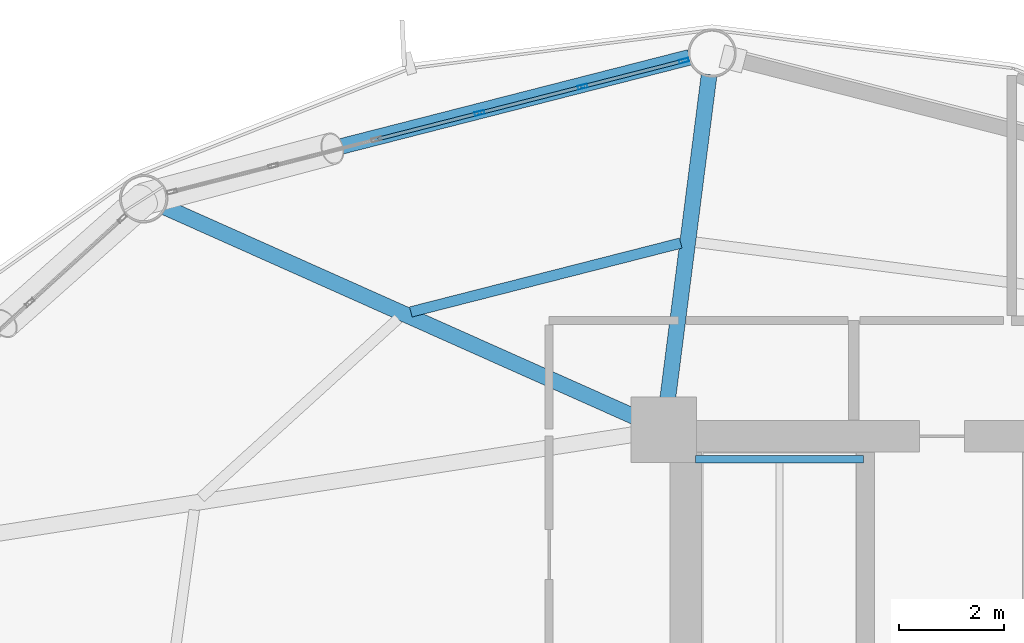
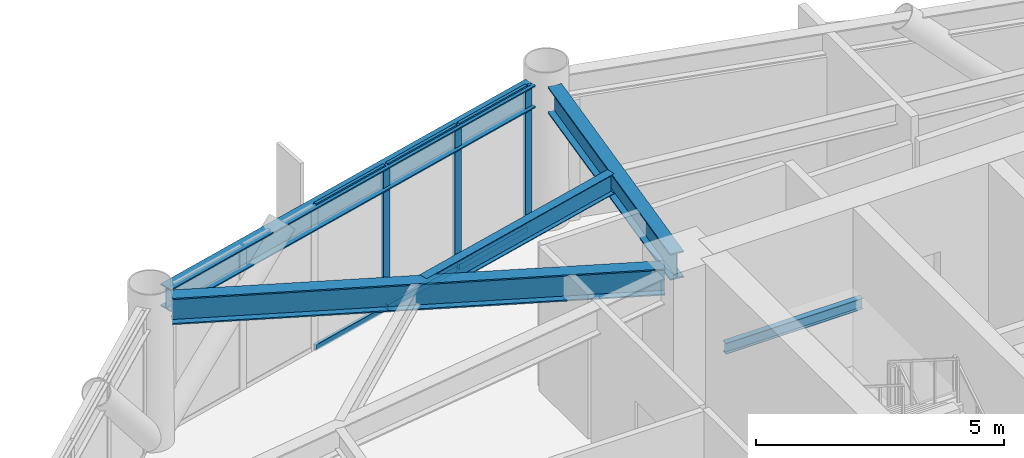
# One storey, part 16 of 25: 9 members, 5 beams, 1 element without a shape of its own.
"""IFC4 building model written with IfcOpenShell, lengths in metres."""

import ifcopenshell
import ifcopenshell.guid

model = None  # the IFC model being written
_history = None  # IfcOwnerHistory: only IFC2X3 demands one
_inside = {}  # id of a spatial element -> (the spatial element, [elements in it])
_under = {}  # id of a project, library or spatial element -> (it, [spatial elements below it])
_declared = {}  # id of a project -> (the project, [libraries it declares])
_typed = {}  # id of a type object -> (the type object, [elements of that type])
_made_of = {}  # id of a material, layer set ... -> (it, [elements and type objects made of it])


def new_model(schema):
    """Start an empty IFC model of exactly this schema.

    Asked for "IFC4X3", IfcOpenShell would pick the latest addendum, in which some entities
    have other attributes; the version numbers below select the first issue.
    IFC2X3 requires an IfcOwnerHistory on every rooted entity: one is made here for all.
    """
    global model, _history
    if schema == "IFC4X3":
        model = ifcopenshell.file(schema_version=(4, 3, 0, 0))
    else:
        model = ifcopenshell.file(schema=schema)
    _inside.clear()
    _under.clear()
    _declared.clear()
    _typed.clear()
    _made_of.clear()
    _history = None
    if model.schema == "IFC2X3":
        org = make("IfcOrganization", Name="unknown")
        user = make(
            "IfcPersonAndOrganization",
            ThePerson=make("IfcPerson", FamilyName="unknown"),
            TheOrganization=org,
        )
        app = make(
            "IfcApplication",
            ApplicationDeveloper=org,
            Version="unknown",
            ApplicationFullName="unknown",
            ApplicationIdentifier="unknown",
        )
        _history = make(
            "IfcOwnerHistory",
            OwningUser=user,
            OwningApplication=app,
            ChangeAction="ADDED",
            CreationDate=0,
        )
    return model


def make(cls, **values):
    """One entity of the class cls with the attributes given. An attribute that is None is left unset."""
    return model.create_entity(
        cls, **{name: value for name, value in values.items() if value is not None}
    )


def rooted(cls, **values):
    """An entity with a GlobalId (a new one), such as an element, a storey or a relation."""
    return make(cls, GlobalId=ifcopenshell.guid.new(), OwnerHistory=_history, **values)


def si_unit(unit_type, name, prefix=None):
    """IfcSIUnit, for example si_unit("LENGTHUNIT", "METRE", prefix="MILLI")."""
    return make("IfcSIUnit", UnitType=unit_type, Prefix=prefix, Name=name)


def assignment(units):
    """IfcUnitAssignment: the units of a project."""
    return None if units is None else make("IfcUnitAssignment", Units=units)


def point(xyz):
    """IfcCartesianPoint."""
    return None if xyz is None else make("IfcCartesianPoint", Coordinates=xyz)


def direction(xyz):
    """IfcDirection."""
    return None if xyz is None else make("IfcDirection", DirectionRatios=xyz)


def frame(location, z_axis=None, x_axis=None):
    """IfcAxis2Placement3D, a coordinate frame: its origin and axes. An axis left out is left unset."""
    return make(
        "IfcAxis2Placement3D",
        Location=point(location),
        Axis=direction(z_axis),
        RefDirection=direction(x_axis),
    )


def frame_2d(location, x_axis=None):
    """IfcAxis2Placement2D, a coordinate frame in the plane: its origin and x axis."""
    return make(
        "IfcAxis2Placement2D", Location=point(location), RefDirection=direction(x_axis)
    )


def origin():
    """The frame at (0, 0, 0) with its axes left unset."""
    return frame((0.0, 0.0, 0.0))


def origin_2d():
    """The frame at (0, 0) in the plane with its x axis left unset."""
    return frame_2d((0.0, 0.0))


def place(relative_to, where):
    """IfcLocalPlacement: puts the frame where relative to a parent placement (None: the world)."""
    return make(
        "IfcLocalPlacement", PlacementRelTo=relative_to, RelativePlacement=where
    )


def context(
    kind, dimensions, precision=None, world=None, true_north=None, identifier=None
):
    """IfcGeometricRepresentationContext, for example the 3D "Model" context."""
    return make(
        "IfcGeometricRepresentationContext",
        ContextIdentifier=identifier,
        ContextType=kind,
        CoordinateSpaceDimension=dimensions,
        Precision=precision,
        WorldCoordinateSystem=world,
        TrueNorth=true_north,
    )


def subcontext(parent, identifier, kind, view, scale=None):
    """IfcGeometricRepresentationSubContext, for example "Body" below "Model"."""
    return make(
        "IfcGeometricRepresentationSubContext",
        ContextIdentifier=identifier,
        ContextType=kind,
        ParentContext=parent,
        TargetScale=scale,
        TargetView=view,
    )


def project(units=None, contexts=None):
    """IfcProject with its units and contexts."""
    return rooted(
        "IfcProject",
        Name="project",
        RepresentationContexts=contexts,
        UnitsInContext=assignment(units),
    )


def spatial(cls, under=None, at=None, **own):
    """A site, building, storey or space (cls), placed at a placement, below another one or the project."""
    s = rooted(cls, ObjectPlacement=at, **own)
    if under is not None:
        _under.setdefault(under.id(), (under, []))[1].append(s)
    return s


def profile(cls, at=None, kind="AREA", **sizes):
    """A parametric profile (cls). Its sizes go by their IFC names, for example OverallWidth=200.0."""
    return make(cls, ProfileType=kind, Position=at, **sizes)


def hollow_rectangle(**sizes):
    """IfcRectangleHollowProfileDef."""
    return profile("IfcRectangleHollowProfileDef", **sizes)


def i_section(**sizes):
    """IfcIShapeProfileDef."""
    return profile("IfcIShapeProfileDef", **sizes)


def extrude(swept, where, along, depth):
    """IfcExtrudedAreaSolid: the profile swept, set in the frame where, extruded along a direction by depth."""
    return make(
        "IfcExtrudedAreaSolid",
        SweptArea=swept,
        Position=where,
        ExtrudedDirection=direction(along),
        Depth=depth,
    )


def shape(context_of_items, identifier, shape_type, items):
    """IfcShapeRepresentation: the items that make up one representation, for example the "Body"."""
    return make(
        "IfcShapeRepresentation",
        ContextOfItems=context_of_items,
        RepresentationIdentifier=identifier,
        RepresentationType=shape_type,
        Items=items,
    )


def material(Name=None, Category=None):
    """IfcMaterial."""
    return make("IfcMaterial", Name=Name, Category=Category)


def layer(
    of_material, thickness, ventilated=None, Name=None, Category=None, Priority=None
):
    """IfcMaterialLayer: one layer of a wall or slab, of a material (None: an air gap)."""
    return make(
        "IfcMaterialLayer",
        Material=of_material,
        LayerThickness=thickness,
        IsVentilated=ventilated,
        Name=Name,
        Category=Category,
        Priority=Priority,
    )


def layer_set(layers, Name=None):
    """IfcMaterialLayerSet."""
    return make("IfcMaterialLayerSet", MaterialLayers=layers, LayerSetName=Name)


def material_profile(
    of_material, cross_section, Name=None, Category=None, Priority=None
):
    """IfcMaterialProfile: a cross section and its material."""
    return make(
        "IfcMaterialProfile",
        Name=Name,
        Material=of_material,
        Profile=cross_section,
        Priority=Priority,
        Category=Category,
    )


def profile_set(profiles, Name=None, composite=None):
    """IfcMaterialProfileSet."""
    return make(
        "IfcMaterialProfileSet",
        Name=Name,
        MaterialProfiles=profiles,
        CompositeProfile=composite,
    )


def made_of(thing, what):
    """Note that an element or type object is made of a material, layer set ...; save() writes the relation."""
    if what is not None:
        _made_of.setdefault(what.id(), (what, []))[1].append(thing)
    return thing


def type_object(cls, material=None, **own):
    """A type object (cls), such as IfcWallType, which elements share."""
    return made_of(rooted(cls, **own), material)


def element(
    cls,
    number,
    at=None,
    inside=None,
    cuts=None,
    type_object=None,
    material=None,
    context=None,
    identifier="Body",
    shape_type=None,
    held_by="IfcProductDefinitionShape",
    body=None,
    shapes=None,
    **own,
):
    """One element of the class cls, such as IfcWall. Its Tag is "e" and its number.

    at: its placement. inside: the storey or other place that contains it. cuts: it is an
    opening in that element (IfcRelVoidsElement). A single representation is given by context,
    identifier, shape_type and body (its items); several are given by shapes. held_by: the class
    of the entity that holds the representations. save() writes the other relations.
    """
    e = rooted(cls, Tag="e%d" % number, ObjectPlacement=at, **own)
    if body is not None:
        shapes = [shape(context, identifier, shape_type, body)]
    if shapes is not None:
        e.Representation = make(held_by, Representations=shapes)
    if inside is not None:
        _inside.setdefault(inside.id(), (inside, []))[1].append(e)
    if cuts is not None:
        rooted(
            "IfcRelVoidsElement", RelatingBuildingElement=cuts, RelatedOpeningElement=e
        )
    if type_object is not None:
        _typed.setdefault(type_object.id(), (type_object, []))[1].append(e)
    return made_of(e, material)


def aggregate(whole, parts):
    """IfcRelAggregates: a whole, such as a stair, and the parts it consists of."""
    return rooted("IfcRelAggregates", RelatingObject=whole, RelatedObjects=parts)


def save(model, path):
    """Write the relations noted so far, then the file.

    IfcRelAggregates (storeys below a building ...), IfcRelContainedInSpatialStructure (elements
    in a storey), IfcRelDefinesByType, IfcRelAssociatesMaterial and IfcRelDeclares: one each for
    every whole, place, type object, material and project.
    """
    for whole, parts in _under.values():
        aggregate(whole, parts)
    for where, things in _inside.values():
        rooted(
            "IfcRelContainedInSpatialStructure",
            RelatedElements=things,
            RelatingStructure=where,
        )
    for kind, things in _typed.values():
        rooted("IfcRelDefinesByType", RelatedObjects=things, RelatingType=kind)
    for what, things in _made_of.values():
        rooted("IfcRelAssociatesMaterial", RelatedObjects=things, RelatingMaterial=what)
    for by, libraries in _declared.values():
        rooted("IfcRelDeclares", RelatingContext=by, RelatedDefinitions=libraries)
    model.write(path)


model = new_model("IFC4")

# Units and contexts
model_context = context("Model", 3, precision=1e-05, world=origin(), true_north=direction((0.0, 1.0)))
body_context = subcontext(model_context, "Body", "Model", "MODEL_VIEW")
ifc_project = project(units=[si_unit("LENGTHUNIT", "METRE"), si_unit("AREAUNIT", "SQUARE_METRE"), si_unit("VOLUMEUNIT", "CUBIC_METRE"), si_unit("PLANEANGLEUNIT", "RADIAN"), si_unit("MASSUNIT", "GRAM", prefix="KILO")], contexts=[model_context])

# Site, building, storey
site_placement = place(None, origin())
site = spatial("IfcSite", under=ifc_project, at=site_placement, CompositionType="ELEMENT")
building_placement = place(site_placement, origin())
building = spatial("IfcBuilding", under=site, at=building_placement, Name="Varnakorn Sky Granary", CompositionType="ELEMENT")
storey_placement = place(building_placement, frame((0.0, 0.0, 74.39990234375)))
storey = spatial("IfcBuildingStorey", under=building, at=storey_placement, Name="L18", CompositionType="ELEMENT", Elevation=74.39990234375)

# Beams
ifc_material_1 = material(Name="Steel S355JR", Category="steel")
ifc_material_profile_1 = material_profile(ifc_material_1, i_section(OverallWidth=0.135009765625, OverallDepth=0.27001953125, WebThickness=0.006591796875, FlangeThickness=0.01025390625, at=origin_2d()), Name="IPE 270")
ifc_profile_set_1 = profile_set([ifc_material_profile_1], Name="Steel S355JR")
beam_type_1 = type_object("IfcBeamType", Name="BM-LND-270", PredefinedType="BEAM", material=ifc_profile_set_1)
beam_1_placement = place(storey_placement, frame((-1.820068359375, 12.06005859375, 1.614990234375), z_axis=(1.0, 0.0, 0.0), x_axis=(0.0, 1.0, 0.0)))
element("IfcBeam", 1, at=beam_1_placement, inside=storey, type_object=beam_type_1, Name="Stair ST-1 Landing Trimmer Beam B L18-1", PredefinedType="BEAM", context=body_context, shape_type="SweptSolid", body=[
    extrude(i_section(OverallWidth=0.135009765625, OverallDepth=0.27001953125, WebThickness=0.006591796875, FlangeThickness=0.01025390625, at=origin_2d()), origin(), (0.0, 0.0, 1.0), 3.199951171875),
])
ifc_material_profile_2 = material_profile(ifc_material_1, i_section(OverallWidth=0.300048828125, OverallDepth=0.64990234375, WebThickness=0.01611328125, FlangeThickness=0.031005859375, at=origin_2d()), Name="HE 650 B")
ifc_profile_set_2 = profile_set([ifc_material_profile_2], Name="Steel S355JR")
beam_type_2 = type_object("IfcBeamType", Name="BM-RAD-Z1", PredefinedType="BEAM", material=ifc_profile_set_2)
beam_2_placement = place(storey_placement, frame((-2.36669921875, 13.03662109375, 3.22509765625), z_axis=(0.126773339014, 0.991931711619, 0.0), x_axis=(-0.991931711619, 0.126773339014, 0.0)))
element("IfcBeam", 2, at=beam_2_placement, inside=storey, type_object=beam_type_2, Name="Radial Floor Girder RG04 L18", PredefinedType="BEAM", context=body_context, shape_type="SweptSolid", body=[
    extrude(i_section(OverallWidth=0.300048828125, OverallDepth=0.64990234375, WebThickness=0.01611328125, FlangeThickness=0.031005859375, at=origin_2d()), origin(), (0.0, 0.0, 1.0), 6.3955078125),
])
beam_3_placement = place(storey_placement, frame((-2.803466796875, 12.791259765625, 3.22509765625), z_axis=(-0.913169041207, 0.407581037563, 0.0), x_axis=(-0.407581037563, -0.913169041207, 0.0)))
element("IfcBeam", 3, at=beam_3_placement, inside=storey, type_object=beam_type_2, Name="Radial Floor Girder RG05 L18", PredefinedType="BEAM", context=body_context, shape_type="SweptSolid", body=[
    extrude(i_section(OverallWidth=0.300048828125, OverallDepth=0.64990234375, WebThickness=0.01611328125, FlangeThickness=0.031005859375, at=origin_2d()), origin(), (0.0, 0.0, 1.0), 9.9990234375),
])
ifc_material_profile_3 = material_profile(ifc_material_1, i_section(OverallWidth=0.199951171875, OverallDepth=0.5, WebThickness=0.01025390625, FlangeThickness=0.01611328125, at=origin_2d()), Name="IPE 500")
ifc_profile_set_3 = profile_set([ifc_material_profile_3], Name="Steel S355JR")
beam_type_3 = type_object("IfcBeamType", Name="BM-SEC-Z1", PredefinedType="BEAM", material=ifc_profile_set_3)
beam_4_placement = place(storey_placement, frame((-2.09716796875, 16.174072265625, 3.300048828125), z_axis=(-0.968955281331, -0.247236046686, 0.0), x_axis=(0.247236046686, -0.968955281331, 0.0)))
element("IfcBeam", 4, at=beam_4_placement, inside=storey, type_object=beam_type_3, Name="Secondary Floor Chord Beam MSB04 L18", PredefinedType="BEAM", context=body_context, shape_type="SweptSolid", body=[
    extrude(i_section(OverallWidth=0.199951171875, OverallDepth=0.5, WebThickness=0.01025390625, FlangeThickness=0.01611328125, at=origin_2d()), origin(), (0.0, 0.0, 1.0), 5.30078125),
])
ifc_material_profile_4 = material_profile(ifc_material_1, i_section(OverallWidth=0.300048828125, OverallDepth=0.550048828125, WebThickness=0.014892578125, FlangeThickness=0.029052734375, at=origin_2d()), Name="HE 550 B")
ifc_profile_set_4 = profile_set([ifc_material_profile_4], Name="Steel S355JR")
beam_type_4 = type_object("IfcBeamType", Name="BM-SPD-Z1", PredefinedType="SPANDREL", material=ifc_profile_set_4)
beam_5_placement = place(storey_placement, frame((-1.92822265625, 19.70947265625, 3.275146484375), z_axis=(-0.96880812905, -0.247812043869, 0.0), x_axis=(0.247812043869, -0.96880812905, 0.0)))
element("IfcBeam", 5, at=beam_5_placement, inside=storey, type_object=beam_type_4, Name="Perimeter Spandrel Ring Beam RB04 L18", PredefinedType="SPANDREL", context=body_context, shape_type="SweptSolid", body=[
    extrude(i_section(OverallWidth=0.300048828125, OverallDepth=0.550048828125, WebThickness=0.014892578125, FlangeThickness=0.029052734375, at=origin_2d()), origin(), (0.0, 0.0, 1.0), 10.302978515625),
])

# Curtain wall, members
ifc_material_2 = material(Name="Anodised Bronze Aluminium Alloy 6063-T6", Category="aluminium")
ifc_layer = layer(ifc_material_2, 0.18994140625, Name="Anodised Bronze Aluminium Alloy 6063-T6")
ifc_layer_set = layer_set([ifc_layer], Name="Anodised Bronze Aluminium Alloy 6063-T6")
curtain_wall_type = type_object("IfcCurtainWallType", Name="CW-FRM-1", PredefinedType="USERDEFINED", material=ifc_layer_set)
curtain_wall_placement = place(storey_placement, origin())
curtain_wall = element("IfcCurtainWall", 6, at=curtain_wall_placement, inside=storey, type_object=curtain_wall_type, Name="Unitised Curtain Wall CW3 CW-L18-B04", ObjectType="CURTAIN WALL", PredefinedType="USERDEFINED")
ifc_material_profile_5 = material_profile(ifc_material_2, hollow_rectangle(XDim=0.070068359375, YDim=0.18505859375, WallThickness=0.00390625, at=origin_2d()), Name="ALU MULL 70x185")
ifc_profile_set_5 = profile_set([ifc_material_profile_5], Name="Anodised Bronze Aluminium Alloy 6063-T6")
member_type_1 = type_object("IfcMemberType", Name="CW-FRM-1-MULL", PredefinedType="MULLION", material=ifc_profile_set_5)
member_1_placement = place(storey_placement, frame((-5.925537109375, 18.6484375, 0.0), z_axis=(0.0, 0.0, 1.0), x_axis=(-0.247900922341, 0.968785390426, 0.0)))
member_1 = element("IfcMember", 7, at=member_1_placement, type_object=member_type_1, Name="CW3 mullion 4", PredefinedType="MULLION", context=body_context, shape_type="SweptSolid", body=[
    extrude(hollow_rectangle(XDim=0.070068359375, YDim=0.18505859375, WallThickness=0.00390625, at=origin_2d()), origin(), (0.0, 0.0, 1.0), 3.550048828125),
])
member_2_placement = place(storey_placement, frame((-3.963134765625, 19.150634765625, 0.0), z_axis=(0.0, 0.0, 1.0), x_axis=(-0.247900922341, 0.968785390426, 0.0)))
member_2 = element("IfcMember", 8, at=member_2_placement, type_object=member_type_1, Name="CW3 mullion 5", PredefinedType="MULLION", context=body_context, shape_type="SweptSolid", body=[
    extrude(hollow_rectangle(XDim=0.070068359375, YDim=0.18505859375, WallThickness=0.00390625, at=origin_2d()), origin(), (0.0, 0.0, 1.0), 3.550048828125),
])
member_3_placement = place(storey_placement, frame((-2.034912109375, 19.64404296875, 0.0), z_axis=(0.0, 0.0, 1.0), x_axis=(-0.247900922341, 0.968785390426, 0.0)))
member_3 = element("IfcMember", 9, at=member_3_placement, type_object=member_type_1, Name="CW3 mullion 6", PredefinedType="MULLION", context=body_context, shape_type="SweptSolid", body=[
    extrude(hollow_rectangle(XDim=0.070068359375, YDim=0.18505859375, WallThickness=0.00390625, at=origin_2d()), origin(), (0.0, 0.0, 1.0), 3.550048828125),
])
ifc_material_profile_6 = material_profile(ifc_material_2, hollow_rectangle(XDim=0.070068359375, YDim=0.139892578125, WallThickness=0.00341796875, at=origin_2d()), Name="ALU TRAN 70x140")
ifc_profile_set_6 = profile_set([ifc_material_profile_6], Name="Anodised Bronze Aluminium Alloy 6063-T6")
member_type_2 = type_object("IfcMemberType", Name="CW-FRM-1-TRAN", PredefinedType="USERDEFINED", material=ifc_profile_set_6)
member_4_placement = place(storey_placement, frame((-7.85400390625, 18.155029296875, 0.03515625), z_axis=(0.968776209563, 0.247936797963, 0.0), x_axis=(-0.247936797963, 0.968776209563, 0.0)))
member_4 = element("IfcMember", 10, at=member_4_placement, type_object=member_type_2, Name="CW3 transom 3.1", ObjectType="TRANSOM", PredefinedType="USERDEFINED", context=body_context, shape_type="SweptSolid", body=[
    extrude(hollow_rectangle(XDim=0.070068359375, YDim=0.139892578125, WallThickness=0.00341796875, at=origin_2d()), origin(), (0.0, 0.0, 1.0), 1.95556640625),
])
member_5_placement = place(storey_placement, frame((-7.85400390625, 18.155029296875, 3.51513671875), z_axis=(0.968776209563, 0.247936797963, 0.0), x_axis=(-0.247936797963, 0.968776209563, 0.0)))
member_5 = element("IfcMember", 11, at=member_5_placement, type_object=member_type_2, Name="CW3 transom 3.2", ObjectType="TRANSOM", PredefinedType="USERDEFINED", context=body_context, shape_type="SweptSolid", body=[
    extrude(hollow_rectangle(XDim=0.070068359375, YDim=0.139892578125, WallThickness=0.00341796875, at=origin_2d()), origin(), (0.0, 0.0, 1.0), 1.95556640625),
])
member_6_placement = place(storey_placement, frame((-5.8916015625, 18.6572265625, 0.03515625), z_axis=(0.968776209563, 0.247936797963, 0.0), x_axis=(-0.247936797963, 0.968776209563, 0.0)))
member_6 = element("IfcMember", 12, at=member_6_placement, type_object=member_type_2, Name="CW3 transom 4.1", ObjectType="TRANSOM", PredefinedType="USERDEFINED", context=body_context, shape_type="SweptSolid", body=[
    extrude(hollow_rectangle(XDim=0.070068359375, YDim=0.139892578125, WallThickness=0.00341796875, at=origin_2d()), origin(), (0.0, 0.0, 1.0), 1.95556640625),
])
member_7_placement = place(storey_placement, frame((-5.8916015625, 18.6572265625, 3.51513671875), z_axis=(0.968776209563, 0.247936797963, 0.0), x_axis=(-0.247936797963, 0.968776209563, 0.0)))
member_7 = element("IfcMember", 13, at=member_7_placement, type_object=member_type_2, Name="CW3 transom 4.2", ObjectType="TRANSOM", PredefinedType="USERDEFINED", context=body_context, shape_type="SweptSolid", body=[
    extrude(hollow_rectangle(XDim=0.070068359375, YDim=0.139892578125, WallThickness=0.00341796875, at=origin_2d()), origin(), (0.0, 0.0, 1.0), 1.95556640625),
])
member_8_placement = place(storey_placement, frame((-3.929443359375, 19.159423828125, 0.03515625), z_axis=(0.968797026421, 0.247855444965, 0.0), x_axis=(-0.247855444965, 0.968797026421, 0.0)))
member_8 = element("IfcMember", 14, at=member_8_placement, type_object=member_type_2, Name="CW3 transom 5.1", ObjectType="TRANSOM", PredefinedType="USERDEFINED", context=body_context, shape_type="SweptSolid", body=[
    extrude(hollow_rectangle(XDim=0.070068359375, YDim=0.139892578125, WallThickness=0.00341796875, at=origin_2d()), origin(), (0.0, 0.0, 1.0), 1.920654296875),
])
member_9_placement = place(storey_placement, frame((-3.929443359375, 19.159423828125, 3.51513671875), z_axis=(0.968797026421, 0.247855444965, 0.0), x_axis=(-0.247855444965, 0.968797026421, 0.0)))
member_9 = element("IfcMember", 15, at=member_9_placement, type_object=member_type_2, Name="CW3 transom 5.2", ObjectType="TRANSOM", PredefinedType="USERDEFINED", context=body_context, shape_type="SweptSolid", body=[
    extrude(hollow_rectangle(XDim=0.070068359375, YDim=0.139892578125, WallThickness=0.00341796875, at=origin_2d()), origin(), (0.0, 0.0, 1.0), 1.920654296875),
])
aggregate(curtain_wall, [member_1, member_2, member_3, member_4, member_5, member_6, member_7, member_8, member_9])

save(model, "model.ifc")
